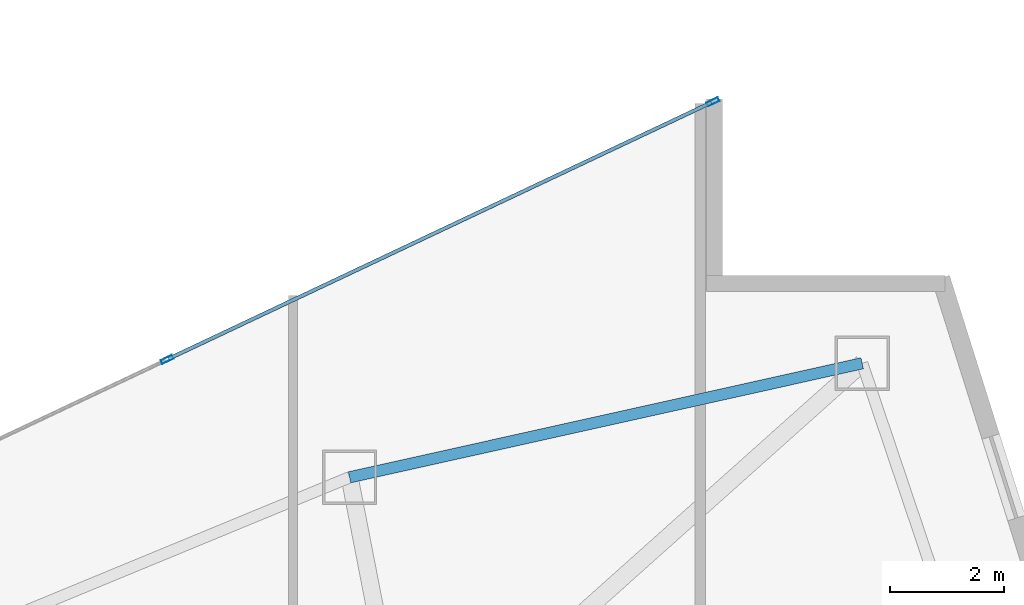
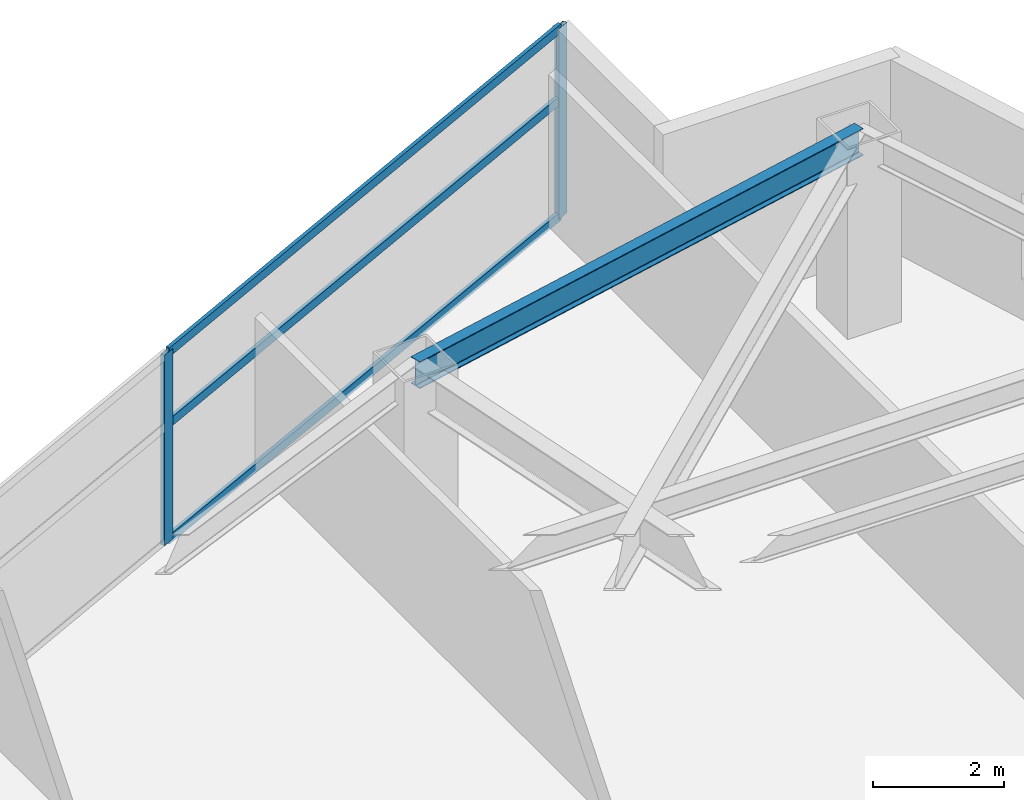
# One storey, part 20 of 29: 5 members, 1 beam, 1 element without a shape of its own.
"""IFC4 building model written with IfcOpenShell, lengths in metres."""

from ifc_helpers import new_model, si_unit, direction, frame, origin, origin_2d, place, context, subcontext, project, spatial, hollow_rectangle, i_section, extrude, material, layer, layer_set, material_profile, profile_set, type_object, element, aggregate, save


model = new_model("IFC4")

# Units and contexts
model_context = context("Model", 3, precision=1e-05, world=origin(), true_north=direction((0.0, 1.0)))
body_context = subcontext(model_context, "Body", "Model", "MODEL_VIEW")
ifc_project = project(units=[si_unit("LENGTHUNIT", "METRE"), si_unit("AREAUNIT", "SQUARE_METRE"), si_unit("VOLUMEUNIT", "CUBIC_METRE"), si_unit("PLANEANGLEUNIT", "RADIAN"), si_unit("MASSUNIT", "GRAM", prefix="KILO")], contexts=[model_context])

# Site, building, storey
site_placement = place(None, origin())
site = spatial("IfcSite", under=ifc_project, at=site_placement, CompositionType="ELEMENT")
building_placement = place(site_placement, origin())
building = spatial("IfcBuilding", under=site, at=building_placement, Name="Calvorn Quay Hotel", CompositionType="ELEMENT")
storey_placement = place(building_placement, frame((0.0, 0.0, 85.0)))
storey = spatial("IfcBuildingStorey", under=building, at=storey_placement, Name="L20", CompositionType="ELEMENT", Elevation=85.0)

# Beam
ifc_material_1 = material(Name="Steel Q355B", Category="steel")
ifc_material_profile_1 = material_profile(ifc_material_1, i_section(OverallWidth=0.199951171875, OverallDepth=0.5, WebThickness=0.010009765625, FlangeThickness=0.01611328125, FilletRadius=0.01611328125, at=origin_2d()), Name="HN500x200x10x16")
ifc_profile_set_1 = profile_set([ifc_material_profile_1], Name="Steel Q355B")
beam_type = type_object("IfcBeamType", Name="BM-SPANDREL-Z1", PredefinedType="SPANDREL", material=ifc_profile_set_1)
beam_placement = place(storey_placement, frame((52.990966796875, 33.39990234375, 3.2900390625), z_axis=(-0.976140886259, -0.217138136156, 0.0), x_axis=(0.217138136156, -0.976140886259, 0.0)))
element("IfcBeam", 1, at=beam_placement, inside=storey, type_object=beam_type, Name="Beam BSP-L20-E3", PredefinedType="SPANDREL", context=body_context, shape_type="SweptSolid", body=[
    extrude(i_section(OverallWidth=0.199951171875, OverallDepth=0.5, WebThickness=0.010009765625, FlangeThickness=0.01611328125, FilletRadius=0.01611328125, at=origin_2d()), origin(), (0.0, 0.0, 1.0), 9.210693359375),
])

# Curtain wall, members
ifc_material_2 = material(Name="Pale Anodised Aluminium and Low-E Glass", Category="aluminium")
ifc_layer = layer(ifc_material_2, 0.219970703125)
ifc_layer_set = layer_set([ifc_layer], Name="CW-SYS-Z1")
curtain_wall_type = type_object("IfcCurtainWallType", Name="CW-SYS-Z1", PredefinedType="NOTDEFINED", material=ifc_layer_set)
curtain_wall_placement = place(storey_placement, origin())
curtain_wall = element("IfcCurtainWall", 2, at=curtain_wall_placement, inside=storey, type_object=curtain_wall_type, Name="Inner Court Curtain Wall L20-NE1", PredefinedType="NOTDEFINED")
ifc_material_3 = material(Name="Pale Anodised Aluminium 6063-T6", Category="aluminium")
ifc_material_profile_2 = material_profile(ifc_material_3, hollow_rectangle(XDim=0.074951171875, YDim=0.219970703125, WallThickness=0.00439453125, at=origin_2d()), Name="ALU-M220x75x4.5")
ifc_profile_set_2 = profile_set([ifc_material_profile_2], Name="Pale Anodised Aluminium 6063-T6")
member_type_1 = type_object("IfcMemberType", Name="CW-SYS-Z1-MUL", PredefinedType="MULLION", material=ifc_profile_set_2)
member_1_placement = place(storey_placement, frame((50.372802734375, 37.9873046875, 0.0), z_axis=(0.0, 0.0, 1.0), x_axis=(0.427006305415, -0.904248646743, 0.0)))
member_1 = element("IfcMember", 3, at=member_1_placement, type_object=member_type_1, Name="CW-L20-NE1 mullion 1", PredefinedType="MULLION", context=body_context, shape_type="SweptSolid", body=[
    extrude(hollow_rectangle(XDim=0.074951171875, YDim=0.219970703125, WallThickness=0.00439453125, at=origin_2d()), origin(), (0.0, 0.0, 1.0), 3.56005859375),
])
member_2_placement = place(storey_placement, frame((40.800048828125, 33.466552734375, 0.0), z_axis=(0.0, 0.0, 1.0), x_axis=(0.427006305415, -0.904248646743, 0.0)))
member_2 = element("IfcMember", 4, at=member_2_placement, type_object=member_type_1, Name="CW-L20-NE1 mullion 2", PredefinedType="MULLION", context=body_context, shape_type="SweptSolid", body=[
    extrude(hollow_rectangle(XDim=0.074951171875, YDim=0.219970703125, WallThickness=0.00439453125, at=origin_2d()), origin(), (0.0, 0.0, 1.0), 3.56005859375),
])
ifc_material_4 = material(Name="Pale Anodised Aluminium 6063-T6", Category="aluminium")
ifc_material_profile_3 = material_profile(ifc_material_4, hollow_rectangle(XDim=0.06494140625, YDim=0.1650390625, WallThickness=0.00341796875, at=origin_2d()), Name="ALU-T165x65x3.5")
ifc_profile_set_3 = profile_set([ifc_material_profile_3], Name="Pale Anodised Aluminium 6063-T6")
member_type_2 = type_object("IfcMemberType", Name="CW-SYS-Z1-TRN", PredefinedType="USERDEFINED", material=ifc_profile_set_3)
member_3_placement = place(storey_placement, frame((50.345703125, 37.974365234375, 0.030029296875), z_axis=(-0.904248646746, -0.427006305408, 0.0), x_axis=(0.427006305408, -0.904248646746, 0.0)))
member_3 = element("IfcMember", 5, at=member_3_placement, type_object=member_type_2, Name="CW-L20-NE1 transom 1.1", ObjectType="TRANSOM", PredefinedType="USERDEFINED", context=body_context, shape_type="SweptSolid", body=[
    extrude(hollow_rectangle(XDim=0.06494140625, YDim=0.1650390625, WallThickness=0.00341796875, at=origin_2d()), origin(), (0.0, 0.0, 1.0), 10.5263671875),
])
member_4_placement = place(storey_placement, frame((50.345703125, 37.974365234375, 2.199951171875), z_axis=(-0.904248646746, -0.427006305408, 0.0), x_axis=(0.427006305408, -0.904248646746, 0.0)))
member_4 = element("IfcMember", 6, at=member_4_placement, type_object=member_type_2, Name="CW-L20-NE1 transom 1.2", ObjectType="TRANSOM", PredefinedType="USERDEFINED", context=body_context, shape_type="SweptSolid", body=[
    extrude(hollow_rectangle(XDim=0.06494140625, YDim=0.1650390625, WallThickness=0.00341796875, at=origin_2d()), origin(), (0.0, 0.0, 1.0), 10.5263671875),
])
member_5_placement = place(storey_placement, frame((50.345703125, 37.974365234375, 3.530029296875), z_axis=(-0.904248646746, -0.427006305408, 0.0), x_axis=(0.427006305408, -0.904248646746, 0.0)))
member_5 = element("IfcMember", 7, at=member_5_placement, type_object=member_type_2, Name="CW-L20-NE1 transom 1.3", ObjectType="TRANSOM", PredefinedType="USERDEFINED", context=body_context, shape_type="SweptSolid", body=[
    extrude(hollow_rectangle(XDim=0.06494140625, YDim=0.1650390625, WallThickness=0.00341796875, at=origin_2d()), origin(), (0.0, 0.0, 1.0), 10.5263671875),
])
aggregate(curtain_wall, [member_1, member_2, member_3, member_4, member_5])

save(model, "model.ifc")
